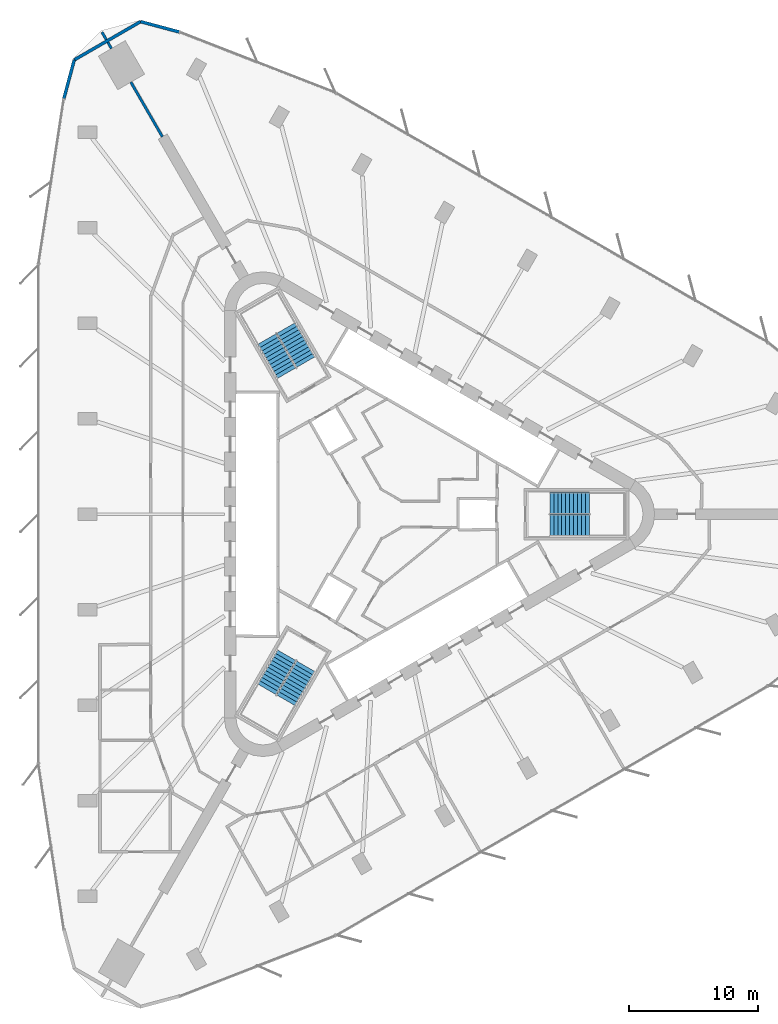
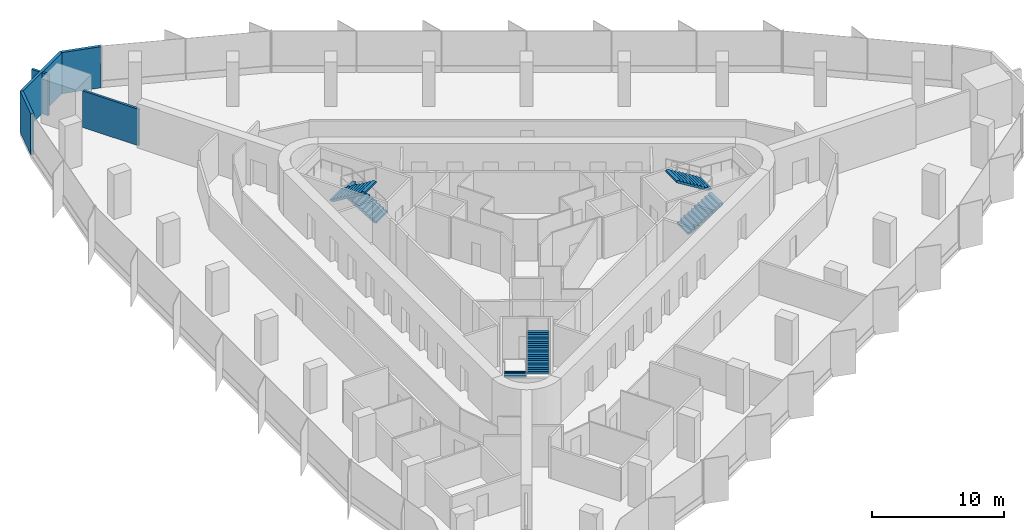
# One storey, part 14 of 15: 6 stair flights, 6 walls, 3 elements without a shape of their own.
"""IFC4 building model written with IfcOpenShell, lengths in metres."""

from ifc_helpers import new_model, si_unit, direction, frame, frame_2d, origin, place, context, subcontext, project, spatial, polyline, rectangle, outline, extrude, material, layer, layer_set, type_object, element, aggregate, save


model = new_model("IFC4")

# Units and contexts
model_context = context("Model", 3, precision=1e-05, world=origin(), true_north=direction((0.0, 1.0)))
body_context = subcontext(model_context, "Body", "Model", "MODEL_VIEW")
ifc_project = project(units=[si_unit("LENGTHUNIT", "METRE"), si_unit("AREAUNIT", "SQUARE_METRE"), si_unit("VOLUMEUNIT", "CUBIC_METRE"), si_unit("PLANEANGLEUNIT", "RADIAN"), si_unit("MASSUNIT", "GRAM", prefix="KILO")], contexts=[model_context])

# Site, building, storey
site_placement = place(None, origin())
site = spatial("IfcSite", under=ifc_project, at=site_placement, CompositionType="ELEMENT")
building_placement = place(site_placement, origin())
building = spatial("IfcBuilding", under=site, at=building_placement, Name="Tanit Gate Tower", CompositionType="ELEMENT")
storey_placement = place(building_placement, frame((0.0, 0.0, 135.699951171875)))
storey = spatial("IfcBuildingStorey", under=building, at=storey_placement, Name="L29", CompositionType="ELEMENT", Elevation=135.699951171875)

# Walls
ifc_material_1 = material(Name="Concrete C30/37 with bronze anodised aluminium cladding", Category="concrete")
ifc_layer_1 = layer(ifc_material_1, 0.239990234375)
ifc_layer_set_1 = layer_set([ifc_layer_1], Name="Facade wall bronze clad 240")
wall_type_1 = type_object("IfcWallType", Name="Facade wall bronze clad 240", PredefinedType="SOLIDWALL", material=ifc_layer_set_1)
wall_1_placement = place(storey_placement, frame((-15.596435546875, 37.322265625, 0.0), z_axis=(0.0, 0.0, 1.0), x_axis=(-0.965937138664, 0.258776823055, 0.0)))
element("IfcWall", 1, at=wall_1_placement, inside=storey, type_object=wall_type_1, Name="Bronze-clad facade wall L29 NW.arc1", PredefinedType="SOLIDWALL", context=body_context, shape_type="SweptSolid", body=[
    extrude(rectangle(XDim=3.095458984375, YDim=0.239990234375, at=frame_2d((1.5478515625, 0.0))), origin(), (0.0, 0.0, 1.0), 3.800048828125),
])
wall_2_placement = place(storey_placement, frame((-18.58642578125, 38.123291015625, 0.0), z_axis=(0.0, 0.0, 1.0), x_axis=(-0.866020370013, -0.500008718647, 0.0)))
element("IfcWall", 2, at=wall_2_placement, inside=storey, type_object=wall_type_1, Name="Bronze-clad facade wall L29 NW.arc2", PredefinedType="SOLIDWALL", context=body_context, shape_type="SweptSolid", body=[
    extrude(rectangle(XDim=5.9306640625, YDim=0.239990234375, at=frame_2d((2.96533203125, 0.0))), origin(), (0.0, 0.0, 1.0), 3.800048828125),
])
wall_3_placement = place(storey_placement, frame((-23.722412109375, 35.157958984375, 0.0), z_axis=(0.0, 0.0, 1.0), x_axis=(-0.258850410475, -0.965917421417, 0.0)))
element("IfcWall", 3, at=wall_3_placement, inside=storey, type_object=wall_type_1, Name="Bronze-clad facade wall L29 NW.arc3", PredefinedType="SOLIDWALL", context=body_context, shape_type="SweptSolid", body=[
    extrude(rectangle(XDim=3.095458984375, YDim=0.239990234375, at=frame_2d((1.5478515625, 0.0))), origin(), (0.0, 0.0, 1.0), 3.800048828125),
])
ifc_material_2 = material(Name="Fire-rated gypsum board partition")
ifc_layer_2 = layer(ifc_material_2, 0.199951171875)
ifc_layer_set_2 = layer_set([ifc_layer_2], Name="INT-WALL-COMPARTMENT")
wall_type_2 = type_object("IfcWallType", Name="INT-WALL-COMPARTMENT", PredefinedType="PARTITIONING", material=ifc_layer_set_2)
wall_4_placement = place(storey_placement, frame((-21.57373046875, 37.306884765625, 0.0), z_axis=(0.0, 0.0, 1.0), x_axis=(0.499880961361, -0.866094119867, 0.0)))
element("IfcWall", 4, at=wall_4_placement, inside=storey, type_object=wall_type_2, Name="Wall Compartment W115", PredefinedType="PARTITIONING", context=body_context, shape_type="SweptSolid", body=[
    extrude(rectangle(XDim=0.666748046875, YDim=0.199951171875, at=frame_2d((0.33349609375, 0.0))), origin(), (0.0, 0.0, 1.0), 3.800048828125),
])
wall_5_placement = place(storey_placement, frame((-21.12060546875, 36.521728515625, 0.0), z_axis=(0.0, 0.0, 1.0), x_axis=(0.500161656815, -0.86593205106, 0.0)))
element("IfcWall", 5, at=wall_5_placement, inside=storey, type_object=wall_type_2, Name="Wall Compartment W115x1", PredefinedType="PARTITIONING", context=body_context, shape_type="SweptSolid", body=[
    extrude(rectangle(XDim=0.561279296875, YDim=0.199951171875, at=frame_2d((0.28076171875, 0.0))), origin(), (0.0, 0.0, 1.0), 3.800048828125),
])
wall_6_placement = place(storey_placement, frame((-19.33984375, 33.437744140625, 0.0), z_axis=(0.0, 0.0, 1.0), x_axis=(0.500002508028, -0.866023955769, 0.0)))
element("IfcWall", 6, at=wall_6_placement, inside=storey, type_object=wall_type_2, Name="Wall Compartment W116", PredefinedType="PARTITIONING", context=body_context, shape_type="SweptSolid", body=[
    extrude(rectangle(XDim=4.8798828125, YDim=0.199951171875, at=frame_2d((2.43994140625, 0.0))), origin(), (0.0, 0.0, 1.0), 3.3701171875),
])

# Stair, stair flights
ifc_material_3 = material(Name="Concrete C40/50", Category="concrete")
stair_type = type_object("IfcStairType", Name="INT-STAIR-EXIT", PredefinedType="HALF_TURN_STAIR", material=ifc_material_3)
stair_1_placement = place(storey_placement, origin())
stair_1 = element("IfcStair", 7, at=stair_1_placement, inside=storey, type_object=stair_type, Name="L29 STAIR S1", PredefinedType="HALF_TURN_STAIR")
ifc_material_4 = material(Name="Concrete C40/50", Category="concrete")
stair_flight_type = type_object("IfcStairFlightType", Name="INT-STAIR-FLIGHT", PredefinedType="STRAIGHT", material=ifc_material_4)
stair_flight_1_placement = place(storey_placement, frame((13.094970703125, -0.8525390625, 0.0), z_axis=(0.0, 0.0, 1.0), x_axis=(1.0, 0.0, 0.0)))
stair_flight_1 = element("IfcStairFlight", 8, at=stair_flight_1_placement, type_object=stair_flight_type, Name="S1 flight 1", NumberOfRisers=11, NumberOfTreads=10, PredefinedType="STRAIGHT", RiserHeight=0.186363636, TreadLength=0.3051, context=body_context, shape_type="SweptSolid", body=[
    extrude(outline(polyline([(0.0, 0.0), (0.0, 0.186279296875), (0.30517578125, 0.186279296875), (0.30517578125, 0.372802734375), (0.610107421875, 0.372802734375), (0.610107421875, 0.55908203125), (0.915283203125, 0.55908203125), (0.915283203125, 0.745361328125), (1.220458984375, 0.745361328125), (1.220458984375, 0.931884765625), (1.525390625, 0.931884765625), (1.525390625, 1.1181640625), (1.83056640625, 1.1181640625), (1.83056640625, 1.304443359375), (2.1357421875, 1.304443359375), (2.1357421875, 1.490966796875), (2.44091796875, 1.490966796875), (2.44091796875, 1.67724609375), (2.745849609375, 1.67724609375), (2.745849609375, 1.863525390625), (3.051025390625, 1.863525390625), (3.051025390625, 2.050048828125), (3.051025390625, 1.68798828125), (0.28759765625, 0.0), (0.0, 0.0)])), frame((0.0, 0.84765625, 0.0), z_axis=(0.0, -1.0, 0.0), x_axis=(1.0, 0.0, 0.0)), (0.0, 0.0, 1.0), 1.695068359375),
])
stair_flight_2_placement = place(storey_placement, frame((16.14599609375, 0.8525390625, 2.050048828125), z_axis=(0.0, 0.0, 1.0), x_axis=(-1.0, 0.0, 0.0)))
stair_flight_2 = element("IfcStairFlight", 9, at=stair_flight_2_placement, type_object=stair_flight_type, Name="S1 flight 2", NumberOfRisers=11, NumberOfTreads=10, PredefinedType="STRAIGHT", RiserHeight=0.186363636, TreadLength=0.3051, context=body_context, shape_type="SweptSolid", body=[
    extrude(outline(polyline([(0.0, 0.0), (0.0, 0.186279296875), (0.30517578125, 0.186279296875), (0.30517578125, 0.372802734375), (0.610107421875, 0.372802734375), (0.610107421875, 0.55908203125), (0.915283203125, 0.55908203125), (0.915283203125, 0.745361328125), (1.220458984375, 0.745361328125), (1.220458984375, 0.931884765625), (1.525390625, 0.931884765625), (1.525390625, 1.1181640625), (1.83056640625, 1.1181640625), (1.83056640625, 1.304443359375), (2.1357421875, 1.304443359375), (2.1357421875, 1.490966796875), (2.44091796875, 1.490966796875), (2.44091796875, 1.67724609375), (2.745849609375, 1.67724609375), (2.745849609375, 1.863525390625), (3.051025390625, 1.863525390625), (3.051025390625, 2.050048828125), (3.051025390625, 1.68798828125), (0.28759765625, 0.0), (0.0, 0.0)])), frame((0.0, 0.84765625, 0.0), z_axis=(0.0, -1.0, 0.0), x_axis=(1.0, 0.0, 0.0)), (0.0, 0.0, 1.0), 1.695068359375),
])
aggregate(stair_1, [stair_flight_1, stair_flight_2])

stair_2_placement = place(storey_placement, origin())
stair_2 = element("IfcStair", 10, at=stair_2_placement, inside=storey, type_object=stair_type, Name="L29 STAIR S2", PredefinedType="HALF_TURN_STAIR")
stair_flight_3_placement = place(storey_placement, frame((-5.808349609375, 11.766357421875, 0.0), z_axis=(0.0, 0.0, 1.0), x_axis=(-0.5, 0.866025403784, 0.0)))
stair_flight_3 = element("IfcStairFlight", 11, at=stair_flight_3_placement, type_object=stair_flight_type, Name="S2 flight 1", NumberOfRisers=11, NumberOfTreads=10, PredefinedType="STRAIGHT", RiserHeight=0.186363636, TreadLength=0.30492, context=body_context, shape_type="SweptSolid", body=[
    extrude(outline(polyline([(0.0, 0.0), (0.0, 0.186279296875), (0.304931640625, 0.186279296875), (0.304931640625, 0.372802734375), (0.60986328125, 0.372802734375), (0.60986328125, 0.55908203125), (0.914794921875, 0.55908203125), (0.914794921875, 0.745361328125), (1.2197265625, 0.745361328125), (1.2197265625, 0.931884765625), (1.524658203125, 0.931884765625), (1.524658203125, 1.1181640625), (1.82958984375, 1.1181640625), (1.82958984375, 1.304443359375), (2.134521484375, 1.304443359375), (2.134521484375, 1.490966796875), (2.439453125, 1.490966796875), (2.439453125, 1.67724609375), (2.744384765625, 1.67724609375), (2.744384765625, 1.863525390625), (3.04931640625, 1.863525390625), (3.04931640625, 2.050048828125), (3.04931640625, 1.68798828125), (0.287353515625, 0.0), (0.0, 0.0)])), frame((0.0, 0.84716796875, 0.0), z_axis=(0.0, -1.0, 0.0), x_axis=(1.0, 0.0, 0.0)), (0.0, 0.0, 1.0), 1.694091796875),
])
stair_flight_4_placement = place(storey_placement, frame((-8.810302734375, 13.553955078125, 2.050048828125), z_axis=(0.0, 0.0, 1.0), x_axis=(0.5, -0.866025403784, 0.0)))
stair_flight_4 = element("IfcStairFlight", 12, at=stair_flight_4_placement, type_object=stair_flight_type, Name="S2 flight 2", NumberOfRisers=11, NumberOfTreads=10, PredefinedType="STRAIGHT", RiserHeight=0.186363636, TreadLength=0.30492, context=body_context, shape_type="SweptSolid", body=[
    extrude(outline(polyline([(0.0, 0.0), (0.0, 0.186279296875), (0.304931640625, 0.186279296875), (0.304931640625, 0.372802734375), (0.60986328125, 0.372802734375), (0.60986328125, 0.55908203125), (0.914794921875, 0.55908203125), (0.914794921875, 0.745361328125), (1.2197265625, 0.745361328125), (1.2197265625, 0.931884765625), (1.524658203125, 0.931884765625), (1.524658203125, 1.1181640625), (1.82958984375, 1.1181640625), (1.82958984375, 1.304443359375), (2.134521484375, 1.304443359375), (2.134521484375, 1.490966796875), (2.439453125, 1.490966796875), (2.439453125, 1.67724609375), (2.744384765625, 1.67724609375), (2.744384765625, 1.863525390625), (3.04931640625, 1.863525390625), (3.04931640625, 2.050048828125), (3.04931640625, 1.68798828125), (0.287353515625, 0.0), (0.0, 0.0)])), frame((0.0, 0.84716796875, 0.0), z_axis=(0.0, -1.0, 0.0), x_axis=(1.0, 0.0, 0.0)), (0.0, 0.0, 1.0), 1.694091796875),
])
aggregate(stair_2, [stair_flight_3, stair_flight_4])

stair_3_placement = place(storey_placement, origin())
stair_3 = element("IfcStair", 13, at=stair_3_placement, inside=storey, type_object=stair_type, Name="L29 STAIR S3", PredefinedType="HALF_TURN_STAIR")
stair_flight_5_placement = place(storey_placement, frame((-7.285888671875, -10.914306640625, 0.0), z_axis=(0.0, 0.0, 1.0), x_axis=(-0.5, -0.866025403784, 0.0)))
stair_flight_5 = element("IfcStairFlight", 14, at=stair_flight_5_placement, type_object=stair_flight_type, Name="S3 flight 1", NumberOfRisers=11, NumberOfTreads=10, PredefinedType="STRAIGHT", RiserHeight=0.186363636, TreadLength=0.3051, context=body_context, shape_type="SweptSolid", body=[
    extrude(outline(polyline([(0.0, 0.0), (0.0, 0.186279296875), (0.30517578125, 0.186279296875), (0.30517578125, 0.372802734375), (0.610107421875, 0.372802734375), (0.610107421875, 0.55908203125), (0.915283203125, 0.55908203125), (0.915283203125, 0.745361328125), (1.220458984375, 0.745361328125), (1.220458984375, 0.931884765625), (1.525390625, 0.931884765625), (1.525390625, 1.1181640625), (1.83056640625, 1.1181640625), (1.83056640625, 1.304443359375), (2.1357421875, 1.304443359375), (2.1357421875, 1.490966796875), (2.44091796875, 1.490966796875), (2.44091796875, 1.67724609375), (2.745849609375, 1.67724609375), (2.745849609375, 1.863525390625), (3.051025390625, 1.863525390625), (3.051025390625, 2.050048828125), (3.051025390625, 1.68798828125), (0.28759765625, 0.0), (0.0, 0.0)])), frame((0.0, 0.84765625, 0.0), z_axis=(0.0, -1.0, 0.0), x_axis=(1.0, 0.0, 0.0)), (0.0, 0.0, 1.0), 1.695068359375),
])
stair_flight_6_placement = place(storey_placement, frame((-7.334716796875, -14.4091796875, 2.050048828125), z_axis=(0.0, 0.0, 1.0), x_axis=(0.5, 0.866025403784, 0.0)))
stair_flight_6 = element("IfcStairFlight", 15, at=stair_flight_6_placement, type_object=stair_flight_type, Name="S3 flight 2", NumberOfRisers=11, NumberOfTreads=10, PredefinedType="STRAIGHT", RiserHeight=0.186363636, TreadLength=0.3051, context=body_context, shape_type="SweptSolid", body=[
    extrude(outline(polyline([(0.0, 0.0), (0.0, 0.186279296875), (0.30517578125, 0.186279296875), (0.30517578125, 0.372802734375), (0.610107421875, 0.372802734375), (0.610107421875, 0.55908203125), (0.915283203125, 0.55908203125), (0.915283203125, 0.745361328125), (1.220458984375, 0.745361328125), (1.220458984375, 0.931884765625), (1.525390625, 0.931884765625), (1.525390625, 1.1181640625), (1.83056640625, 1.1181640625), (1.83056640625, 1.304443359375), (2.1357421875, 1.304443359375), (2.1357421875, 1.490966796875), (2.44091796875, 1.490966796875), (2.44091796875, 1.67724609375), (2.745849609375, 1.67724609375), (2.745849609375, 1.863525390625), (3.051025390625, 1.863525390625), (3.051025390625, 2.050048828125), (3.051025390625, 1.68798828125), (0.28759765625, 0.0), (0.0, 0.0)])), frame((0.0, 0.84765625, 0.0), z_axis=(0.0, -1.0, 0.0), x_axis=(1.0, 0.0, 0.0)), (0.0, 0.0, 1.0), 1.695068359375),
])
aggregate(stair_3, [stair_flight_5, stair_flight_6])

save(model, "model.ifc")
